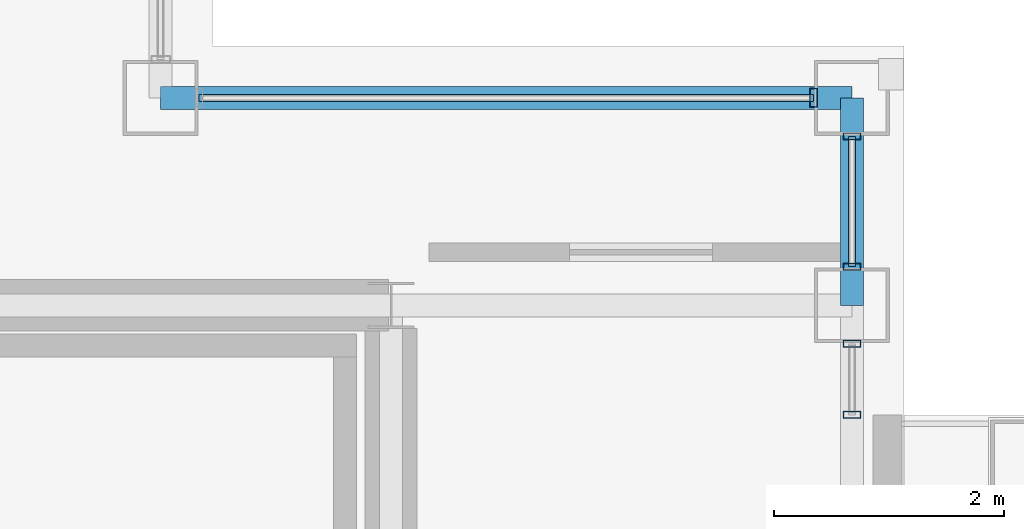
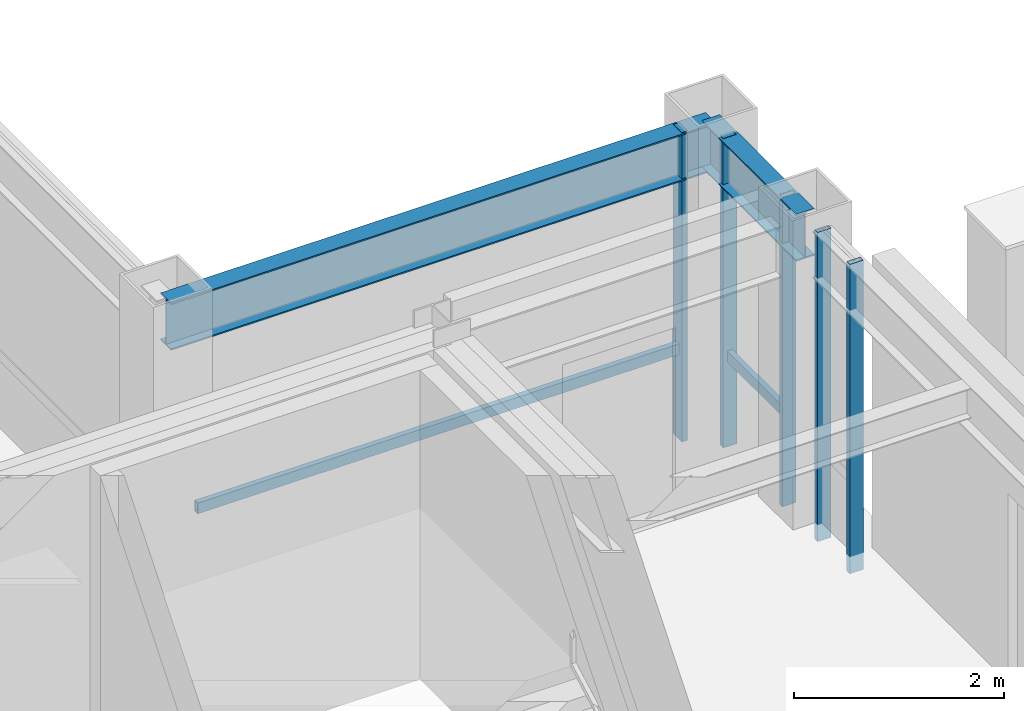
# One storey, part 18 of 30: 7 members, 2 beams, 3 elements without a shape of their own.
"""IFC4 building model written with IfcOpenShell, lengths in metres."""

from ifc_helpers import new_model, si_unit, direction, frame, origin, origin_2d, place, context, subcontext, project, spatial, hollow_rectangle, i_section, extrude, material, layer, layer_set, material_profile, profile_set, type_object, element, aggregate, save


model = new_model("IFC4")

# Units and contexts
model_context = context("Model", 3, precision=1e-05, world=origin(), true_north=direction((0.0, 1.0)))
body_context = subcontext(model_context, "Body", "Model", "MODEL_VIEW")
ifc_project = project(units=[si_unit("LENGTHUNIT", "METRE"), si_unit("AREAUNIT", "SQUARE_METRE"), si_unit("VOLUMEUNIT", "CUBIC_METRE"), si_unit("PLANEANGLEUNIT", "RADIAN"), si_unit("MASSUNIT", "GRAM", prefix="KILO")], contexts=[model_context])

# Site, building, storey
site_placement = place(None, origin())
site = spatial("IfcSite", under=ifc_project, at=site_placement, CompositionType="ELEMENT")
building_placement = place(site_placement, origin())
building = spatial("IfcBuilding", under=site, at=building_placement, Name="Brelmoor Portico Tower", CompositionType="ELEMENT")
storey_placement = place(building_placement, frame((0.0, 0.0, 236.39990234375)))
storey = spatial("IfcBuildingStorey", under=building, at=storey_placement, Name="L62", CompositionType="ELEMENT", Elevation=236.39990234375)

# Beams
ifc_material_1 = material(Name="Steel Q355B", Category="steel")
ifc_material_profile_1 = material_profile(ifc_material_1, i_section(OverallWidth=0.199951171875, OverallDepth=0.550048828125, WebThickness=0.010009765625, FlangeThickness=0.01611328125, at=origin_2d()), Name="HN 550x200x10x16")
ifc_profile_set_1 = profile_set([ifc_material_profile_1], Name="Steel Q355B")
beam_type = type_object("IfcBeamType", Name="BM-SP-550", PredefinedType="SPANDREL", material=ifc_profile_set_1)
beam_1_placement = place(storey_placement, frame((12.550048828125, 11.550048828125, 3.125), z_axis=(1.0, 0.0, 0.0), x_axis=(0.0, 1.0, 0.0)))
element("IfcBeam", 1, at=beam_1_placement, inside=storey, type_object=beam_type, Name="L62 Perimeter Spandrel Beam SP-07", PredefinedType="SPANDREL", context=body_context, shape_type="SweptSolid", body=[
    extrude(i_section(OverallWidth=0.199951171875, OverallDepth=0.550048828125, WebThickness=0.010009765625, FlangeThickness=0.01611328125, at=origin_2d()), origin(), (0.0, 0.0, 1.0), 6.0),
])
beam_2_placement = place(storey_placement, frame((18.550048828125, 9.75, 3.125), z_axis=(0.0, 1.0, 0.0), x_axis=(-1.0, 0.0, 0.0)))
element("IfcBeam", 2, at=beam_2_placement, inside=storey, type_object=beam_type, Name="L62 Perimeter Spandrel Beam SP-20", PredefinedType="SPANDREL", context=body_context, shape_type="SweptSolid", body=[
    extrude(i_section(OverallWidth=0.199951171875, OverallDepth=0.550048828125, WebThickness=0.010009765625, FlangeThickness=0.01611328125, at=origin_2d()), origin(), (0.0, 0.0, 1.0), 1.800048828125),
])

# Curtain wall, members
ifc_material_2 = material(Name="Anodised Aluminium Alloy 6063-T6", Category="aluminium")
ifc_layer_1 = layer(ifc_material_2, 0.179931640625)
ifc_layer_set_1 = layer_set([ifc_layer_1], Name="Anodised Aluminium Alloy 6063-T6")
curtain_wall_type_1 = type_object("IfcCurtainWallType", Name="CW-TOWER-Z4", PredefinedType="NOTDEFINED", material=ifc_layer_set_1)
curtain_wall_1_placement = place(storey_placement, origin())
curtain_wall_1 = element("IfcCurtainWall", 3, at=curtain_wall_1_placement, inside=storey, type_object=curtain_wall_type_1, Name="L62 Curtain Wall CW-L62-4R-1", PredefinedType="NOTDEFINED")
ifc_material_profile_2 = material_profile(ifc_material_2, hollow_rectangle(XDim=0.06005859375, YDim=0.14990234375, WallThickness=0.00390625, at=origin_2d()), Name="ALU MULLION 60x150")
ifc_profile_set_2 = profile_set([ifc_material_profile_2], Name="Anodised Aluminium Alloy 6063-T6")
member_type_1 = type_object("IfcMemberType", Name="MB-CW-MULL-150", PredefinedType="MULLION", material=ifc_profile_set_2)
member_1_placement = place(storey_placement, frame((18.550048828125, 8.800048828125, -0.199951171875), z_axis=(0.0, 0.0, 1.0), x_axis=(0.0, 1.0, 0.0)))
member_1 = element("IfcMember", 4, at=member_1_placement, type_object=member_type_1, Name="CW-L62-4R-1 Mullion 00", PredefinedType="MULLION", context=body_context, shape_type="SweptSolid", body=[
    extrude(hollow_rectangle(XDim=0.06005859375, YDim=0.14990234375, WallThickness=0.00390625, at=origin_2d()), origin(), (0.0, 0.0, 1.0), 3.60009765625),
])
member_2_placement = place(storey_placement, frame((18.550048828125, 9.4150390625, -0.199951171875), z_axis=(0.0, 0.0, 1.0), x_axis=(0.0, 1.0, 0.0)))
member_2 = element("IfcMember", 5, at=member_2_placement, type_object=member_type_1, Name="CW-L62-4R-1 Mullion 01", PredefinedType="MULLION", context=body_context, shape_type="SweptSolid", body=[
    extrude(hollow_rectangle(XDim=0.06005859375, YDim=0.14990234375, WallThickness=0.00390625, at=origin_2d()), origin(), (0.0, 0.0, 1.0), 3.60009765625),
])
aggregate(curtain_wall_1, [member_1, member_2])

curtain_wall_2_placement = place(storey_placement, origin())
curtain_wall_2 = element("IfcCurtainWall", 6, at=curtain_wall_2_placement, inside=storey, type_object=curtain_wall_type_1, Name="L62 Curtain Wall CW-L62-4R-2", PredefinedType="NOTDEFINED")
member_3_placement = place(storey_placement, frame((18.550048828125, 10.0849609375, -0.199951171875), z_axis=(0.0, 0.0, 1.0), x_axis=(0.0, 1.0, 0.0)))
member_3 = element("IfcMember", 7, at=member_3_placement, type_object=member_type_1, Name="CW-L62-4R-2 Mullion 00", PredefinedType="MULLION", context=body_context, shape_type="SweptSolid", body=[
    extrude(hollow_rectangle(XDim=0.06005859375, YDim=0.14990234375, WallThickness=0.00390625, at=origin_2d()), origin(), (0.0, 0.0, 1.0), 3.60009765625),
])
member_4_placement = place(storey_placement, frame((18.550048828125, 11.215087890625, -0.199951171875), z_axis=(0.0, 0.0, 1.0), x_axis=(0.0, 1.0, 0.0)))
member_4 = element("IfcMember", 8, at=member_4_placement, type_object=member_type_1, Name="CW-L62-4R-2 Mullion 01", PredefinedType="MULLION", context=body_context, shape_type="SweptSolid", body=[
    extrude(hollow_rectangle(XDim=0.06005859375, YDim=0.14990234375, WallThickness=0.00390625, at=origin_2d()), origin(), (0.0, 0.0, 1.0), 3.60009765625),
])

# Curtain wall, member
ifc_layer_2 = layer(ifc_material_2, 0.179931640625)
ifc_layer_set_2 = layer_set([ifc_layer_2], Name="Anodised Aluminium Alloy 6063-T6")
curtain_wall_type_2 = type_object("IfcCurtainWallType", Name="CW-NOTCH-CHAMFER", PredefinedType="NOTDEFINED", material=ifc_layer_set_2)
curtain_wall_3_placement = place(storey_placement, origin())
curtain_wall_3 = element("IfcCurtainWall", 9, at=curtain_wall_3_placement, inside=storey, type_object=curtain_wall_type_2, Name="L62 Curtain Wall CWN-L62-NEH", PredefinedType="NOTDEFINED")
ifc_material_profile_3 = material_profile(ifc_material_2, hollow_rectangle(XDim=0.06494140625, YDim=0.1650390625, WallThickness=0.00390625, at=origin_2d()), Name="ALU MULLION 65x165")
ifc_profile_set_3 = profile_set([ifc_material_profile_3], Name="Anodised Aluminium Alloy 6063-T6")
member_type_2 = type_object("IfcMemberType", Name="MB-CW-MULL-165", PredefinedType="MULLION", material=ifc_profile_set_3)
member_5_placement = place(storey_placement, frame((18.215087890625, 11.550048828125, -0.199951171875), z_axis=(0.0, 0.0, 1.0), x_axis=(1.0, 0.0, 0.0)))
member_5 = element("IfcMember", 10, at=member_5_placement, type_object=member_type_2, Name="CWN-L62-NEH Mullion 01", PredefinedType="MULLION", context=body_context, shape_type="SweptSolid", body=[
    extrude(hollow_rectangle(XDim=0.06494140625, YDim=0.1650390625, WallThickness=0.00390625, at=origin_2d()), origin(), (0.0, 0.0, 1.0), 3.60009765625),
])

# Member
ifc_material_profile_4 = material_profile(ifc_material_2, hollow_rectangle(XDim=0.06005859375, YDim=0.125, WallThickness=0.00341796875, at=origin_2d()), Name="ALU TRANSOM 60x125")
ifc_profile_set_4 = profile_set([ifc_material_profile_4], Name="Anodised Aluminium Alloy 6063-T6")
member_type_3 = type_object("IfcMemberType", Name="MB-CW-TRAN-125", PredefinedType="USERDEFINED", material=ifc_profile_set_4)
member_6_placement = place(storey_placement, frame((18.550048828125, 10.0849609375, 0.85009765625), z_axis=(0.0, 1.0, 0.0), x_axis=(-1.0, 0.0, 0.0)))
member_6 = element("IfcMember", 11, at=member_6_placement, type_object=member_type_3, Name="CW-L62-4R-2 Transom 1-00", ObjectType="TRANSOM", PredefinedType="USERDEFINED", context=body_context, shape_type="SweptSolid", body=[
    extrude(hollow_rectangle(XDim=0.06005859375, YDim=0.125, WallThickness=0.00341796875, at=origin_2d()), origin(), (0.0, 0.0, 1.0), 1.130126953125),
])

aggregate(curtain_wall_2, [member_3, member_4, member_6])

member_7_placement = place(storey_placement, frame((12.885009765625, 11.550048828125, 0.85009765625), z_axis=(1.0, 0.0, 0.0), x_axis=(0.0, 1.0, 0.0)))
member_7 = element("IfcMember", 12, at=member_7_placement, type_object=member_type_3, Name="CWN-L62-NEH Transom 1-00", ObjectType="TRANSOM", PredefinedType="USERDEFINED", context=body_context, shape_type="SweptSolid", body=[
    extrude(hollow_rectangle(XDim=0.06005859375, YDim=0.125, WallThickness=0.00341796875, at=origin_2d()), origin(), (0.0, 0.0, 1.0), 5.330078125),
])

aggregate(curtain_wall_3, [member_5, member_7])

save(model, "model.ifc")
